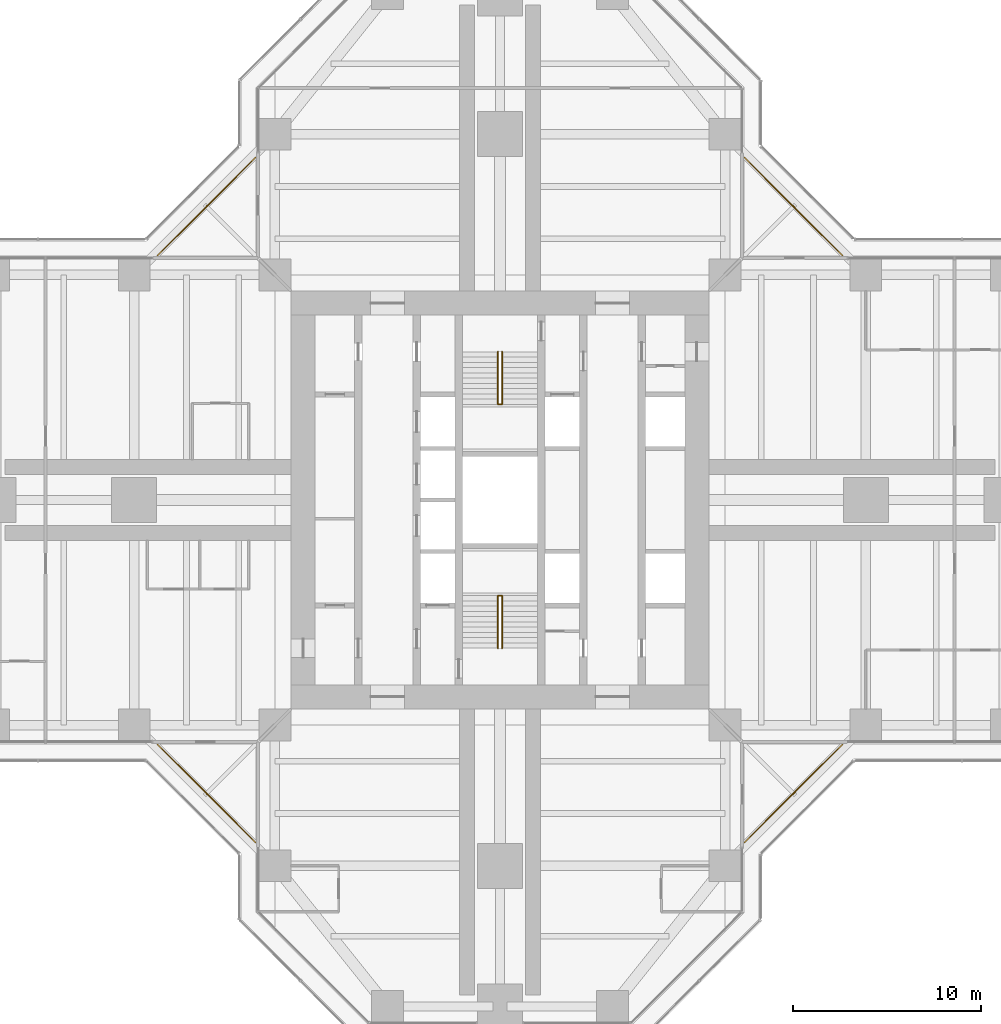
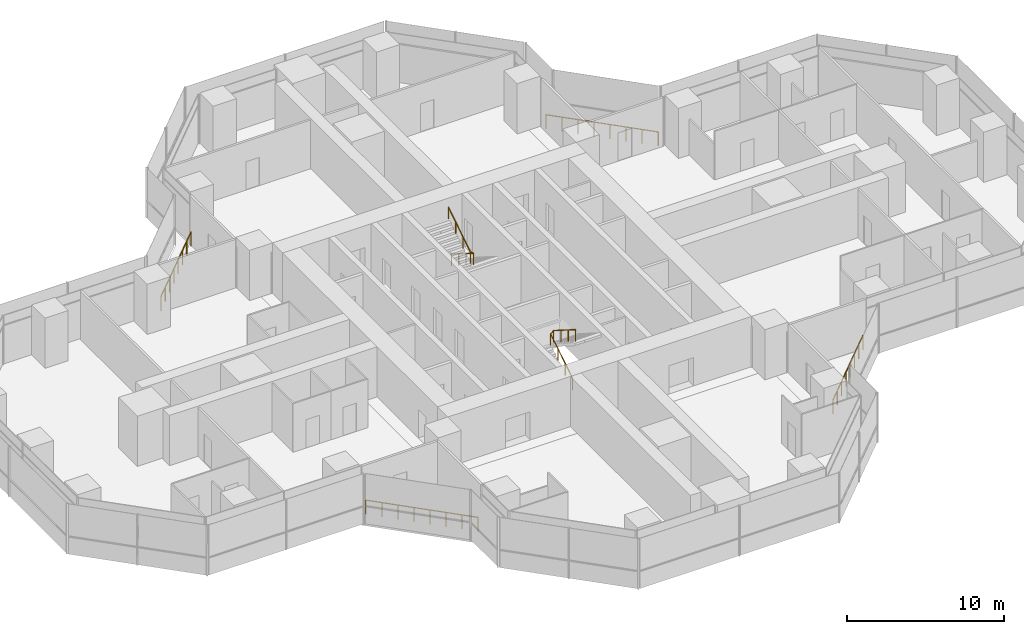
# One storey, part 20 of 20: 6 railings.
"""IFC4 building model written with IfcOpenShell, lengths in metres."""

from ifc_helpers import new_model, si_unit, direction, frame, origin, origin_2d, place, context, subcontext, project, spatial, circle, extrude, material, type_object, element, save


model = new_model("IFC4")

# Units and contexts
model_context = context("Model", 3, precision=1e-05, world=origin(), true_north=direction((0.0, 1.0)))
body_context = subcontext(model_context, "Body", "Model", "MODEL_VIEW")
ifc_project = project(units=[si_unit("LENGTHUNIT", "METRE"), si_unit("AREAUNIT", "SQUARE_METRE"), si_unit("VOLUMEUNIT", "CUBIC_METRE"), si_unit("PLANEANGLEUNIT", "RADIAN"), si_unit("MASSUNIT", "GRAM", prefix="KILO")], contexts=[model_context])

# Site, building, storey
site_placement = place(None, origin())
site = spatial("IfcSite", under=ifc_project, at=site_placement, CompositionType="ELEMENT")
building_placement = place(site_placement, origin())
building = spatial("IfcBuilding", under=site, at=building_placement, Name="Mizan Broadcast Tower", CompositionType="ELEMENT")
storey_placement = place(building_placement, frame((0.0, 0.0, 139.800048828125)))
storey = spatial("IfcBuildingStorey", under=building, at=storey_placement, Name="L31", CompositionType="ELEMENT", Elevation=139.800048828125)

# Railings
ifc_material_1 = material(Name="Stainless steel and glass guard", Category="steel")
railing_type_1 = type_object("IfcRailingType", Name="GUARD 1100", PredefinedType="GUARDRAIL", material=ifc_material_1)
railing_1_placement = place(storey_placement, frame((18.2578125, 13.030029296875, 0.0)))
element("IfcRailing", 1, at=railing_1_placement, inside=storey, type_object=railing_type_1, Name="Winter garden guard L31 E", PredefinedType="GUARDRAIL", context=body_context, shape_type="SweptSolid", body=[
    extrude(circle(Radius=0.02392578125, at=origin_2d()), frame((0.0, 0.0, 1.076171875), z_axis=(-0.707106781187, 0.707106781187, 0.0), x_axis=(-0.707106781187, -0.707106781187, 0.0)), (0.0, 0.0, 1.0), 7.393310546875),
    extrude(circle(Radius=0.02099609375, at=origin_2d()), origin(), (0.0, 0.0, 1.0), 1.052001953125),
    extrude(circle(Radius=0.02099609375, at=origin_2d()), frame((-0.746826171875, 0.746826171875, 0.0)), (0.0, 0.0, 1.0), 1.052001953125),
    extrude(circle(Radius=0.02099609375, at=origin_2d()), frame((-1.49365234375, 1.49365234375, 0.0)), (0.0, 0.0, 1.0), 1.052001953125),
    extrude(circle(Radius=0.02099609375, at=origin_2d()), frame((-2.240478515625, 2.240478515625, 0.0)), (0.0, 0.0, 1.0), 1.052001953125),
    extrude(circle(Radius=0.02099609375, at=origin_2d()), frame((-2.9873046875, 2.9873046875, 0.0)), (0.0, 0.0, 1.0), 1.052001953125),
    extrude(circle(Radius=0.02099609375, at=origin_2d()), frame((-3.734130859375, 3.734130859375, 0.0)), (0.0, 0.0, 1.0), 1.052001953125),
    extrude(circle(Radius=0.02099609375, at=origin_2d()), frame((-4.48095703125, 4.48095703125, 0.0)), (0.0, 0.0, 1.0), 1.052001953125),
    extrude(circle(Radius=0.02099609375, at=origin_2d()), frame((-5.227783203125, 5.227783203125, 0.0)), (0.0, 0.0, 1.0), 1.052001953125),
])
railing_2_placement = place(storey_placement, frame((-13.030029296875, 18.2578125, 0.0)))
element("IfcRailing", 2, at=railing_2_placement, inside=storey, type_object=railing_type_1, Name="Winter garden guard L31 N", PredefinedType="GUARDRAIL", context=body_context, shape_type="SweptSolid", body=[
    extrude(circle(Radius=0.02392578125, at=origin_2d()), frame((0.0, 0.0, 1.076171875), z_axis=(-0.707106781187, -0.707106781187, 0.0), x_axis=(0.707106781187, -0.707106781187, 0.0)), (0.0, 0.0, 1.0), 7.393310546875),
    extrude(circle(Radius=0.02099609375, at=origin_2d()), origin(), (0.0, 0.0, 1.0), 1.052001953125),
    extrude(circle(Radius=0.02099609375, at=origin_2d()), frame((-0.746826171875, -0.746826171875, 0.0)), (0.0, 0.0, 1.0), 1.052001953125),
    extrude(circle(Radius=0.02099609375, at=origin_2d()), frame((-1.49365234375, -1.49365234375, 0.0)), (0.0, 0.0, 1.0), 1.052001953125),
    extrude(circle(Radius=0.02099609375, at=origin_2d()), frame((-2.240478515625, -2.240478515625, 0.0)), (0.0, 0.0, 1.0), 1.052001953125),
    extrude(circle(Radius=0.02099609375, at=origin_2d()), frame((-2.9873046875, -2.9873046875, 0.0)), (0.0, 0.0, 1.0), 1.052001953125),
    extrude(circle(Radius=0.02099609375, at=origin_2d()), frame((-3.734130859375, -3.734130859375, 0.0)), (0.0, 0.0, 1.0), 1.052001953125),
    extrude(circle(Radius=0.02099609375, at=origin_2d()), frame((-4.48095703125, -4.48095703125, 0.0)), (0.0, 0.0, 1.0), 1.052001953125),
    extrude(circle(Radius=0.02099609375, at=origin_2d()), frame((-5.227783203125, -5.227783203125, 0.0)), (0.0, 0.0, 1.0), 1.052001953125),
])
railing_3_placement = place(storey_placement, frame((-18.2578125, -13.030029296875, 0.0)))
element("IfcRailing", 3, at=railing_3_placement, inside=storey, type_object=railing_type_1, Name="Winter garden guard L31 W", PredefinedType="GUARDRAIL", context=body_context, shape_type="SweptSolid", body=[
    extrude(circle(Radius=0.02392578125, at=origin_2d()), frame((0.0, 0.0, 1.076171875), z_axis=(0.707106781187, -0.707106781187, 0.0), x_axis=(0.707106781187, 0.707106781187, 0.0)), (0.0, 0.0, 1.0), 7.393310546875),
    extrude(circle(Radius=0.02099609375, at=origin_2d()), origin(), (0.0, 0.0, 1.0), 1.052001953125),
    extrude(circle(Radius=0.02099609375, at=origin_2d()), frame((0.746826171875, -0.746826171875, 0.0)), (0.0, 0.0, 1.0), 1.052001953125),
    extrude(circle(Radius=0.02099609375, at=origin_2d()), frame((1.49365234375, -1.49365234375, 0.0)), (0.0, 0.0, 1.0), 1.052001953125),
    extrude(circle(Radius=0.02099609375, at=origin_2d()), frame((2.240478515625, -2.240478515625, 0.0)), (0.0, 0.0, 1.0), 1.052001953125),
    extrude(circle(Radius=0.02099609375, at=origin_2d()), frame((2.9873046875, -2.9873046875, 0.0)), (0.0, 0.0, 1.0), 1.052001953125),
    extrude(circle(Radius=0.02099609375, at=origin_2d()), frame((3.734130859375, -3.734130859375, 0.0)), (0.0, 0.0, 1.0), 1.052001953125),
    extrude(circle(Radius=0.02099609375, at=origin_2d()), frame((4.48095703125, -4.48095703125, 0.0)), (0.0, 0.0, 1.0), 1.052001953125),
    extrude(circle(Radius=0.02099609375, at=origin_2d()), frame((5.227783203125, -5.227783203125, 0.0)), (0.0, 0.0, 1.0), 1.052001953125),
])
railing_4_placement = place(storey_placement, frame((13.030029296875, -18.2578125, 0.0)))
element("IfcRailing", 4, at=railing_4_placement, inside=storey, type_object=railing_type_1, Name="Winter garden guard L31 S", PredefinedType="GUARDRAIL", context=body_context, shape_type="SweptSolid", body=[
    extrude(circle(Radius=0.02392578125, at=origin_2d()), frame((0.0, 0.0, 1.076171875), z_axis=(0.707106781187, 0.707106781187, 0.0), x_axis=(-0.707106781187, 0.707106781187, 0.0)), (0.0, 0.0, 1.0), 7.393310546875),
    extrude(circle(Radius=0.02099609375, at=origin_2d()), origin(), (0.0, 0.0, 1.0), 1.052001953125),
    extrude(circle(Radius=0.02099609375, at=origin_2d()), frame((0.746826171875, 0.746826171875, 0.0)), (0.0, 0.0, 1.0), 1.052001953125),
    extrude(circle(Radius=0.02099609375, at=origin_2d()), frame((1.49365234375, 1.49365234375, 0.0)), (0.0, 0.0, 1.0), 1.052001953125),
    extrude(circle(Radius=0.02099609375, at=origin_2d()), frame((2.240478515625, 2.240478515625, 0.0)), (0.0, 0.0, 1.0), 1.052001953125),
    extrude(circle(Radius=0.02099609375, at=origin_2d()), frame((2.9873046875, 2.9873046875, 0.0)), (0.0, 0.0, 1.0), 1.052001953125),
    extrude(circle(Radius=0.02099609375, at=origin_2d()), frame((3.734130859375, 3.734130859375, 0.0)), (0.0, 0.0, 1.0), 1.052001953125),
    extrude(circle(Radius=0.02099609375, at=origin_2d()), frame((4.48095703125, 4.48095703125, 0.0)), (0.0, 0.0, 1.0), 1.052001953125),
    extrude(circle(Radius=0.02099609375, at=origin_2d()), frame((5.227783203125, 5.227783203125, 0.0)), (0.0, 0.0, 1.0), 1.052001953125),
])
ifc_material_2 = material(Name="Stainless steel", Category="steel")
railing_type_2 = type_object("IfcRailingType", Name="HANDRAIL 50", PredefinedType="HANDRAIL", material=ifc_material_2)
railing_5_placement = place(storey_placement, frame((-0.110107421875, -7.89990234375, 0.17724609375)))
element("IfcRailing", 5, at=railing_5_placement, inside=storey, type_object=railing_type_2, Name="Stair A handrail", PredefinedType="HANDRAIL", context=body_context, shape_type="SweptSolid", body=[
    extrude(circle(Radius=0.02392578125, at=origin_2d()), frame((0.0, 0.0, 0.8759765625), z_axis=(0.0, 0.844887892834, 0.53494340686), x_axis=(-1.0, 0.0, 0.0)), (0.0, 0.0, 1.0), 3.313720703125),
    extrude(circle(Radius=0.02392578125, at=origin_2d()), frame((0.0, 2.7998046875, 2.6484375), z_axis=(0.779011685263, 0.0, 0.627009405212), x_axis=(0.0, 1.0, 0.0)), (0.0, 0.0, 1.0), 0.28271484375),
    extrude(circle(Radius=0.02392578125, at=origin_2d()), frame((0.22021484375, 2.7998046875, 2.82568359375), z_axis=(0.0, -0.844887892834, 0.53494340686), x_axis=(1.0, 0.0, 0.0)), (0.0, 0.0, 1.0), 3.313720703125),
    extrude(circle(Radius=0.02099609375, at=origin_2d()), origin(), (0.0, 0.0, 1.0), 0.851806640625),
    extrude(circle(Radius=0.02099609375, at=origin_2d()), frame((0.0, 0.933349609375, 0.5908203125)), (0.0, 0.0, 1.0), 0.851806640625),
    extrude(circle(Radius=0.02099609375, at=origin_2d()), frame((0.0, 1.866455078125, 1.181884765625)), (0.0, 0.0, 1.0), 0.851806640625),
    extrude(circle(Radius=0.02099609375, at=origin_2d()), frame((0.0, 2.7998046875, 1.772705078125)), (0.0, 0.0, 1.0), 0.851806640625),
    extrude(circle(Radius=0.02099609375, at=origin_2d()), frame((0.22021484375, 2.7998046875, 1.949951171875)), (0.0, 0.0, 1.0), 0.851806640625),
    extrude(circle(Radius=0.02099609375, at=origin_2d()), frame((0.22021484375, 1.866455078125, 2.540771484375)), (0.0, 0.0, 1.0), 0.851806640625),
    extrude(circle(Radius=0.02099609375, at=origin_2d()), frame((0.22021484375, 0.933349609375, 3.1318359375)), (0.0, 0.0, 1.0), 0.851806640625),
    extrude(circle(Radius=0.02099609375, at=origin_2d()), frame((0.22021484375, 0.0, 3.72265625)), (0.0, 0.0, 1.0), 0.851806640625),
])
railing_6_placement = place(storey_placement, frame((0.110107421875, 7.89990234375, 0.17724609375)))
element("IfcRailing", 6, at=railing_6_placement, inside=storey, type_object=railing_type_2, Name="Stair B handrail", PredefinedType="HANDRAIL", context=body_context, shape_type="SweptSolid", body=[
    extrude(circle(Radius=0.02392578125, at=origin_2d()), frame((0.0, 0.0, 0.8759765625), z_axis=(0.0, -0.844887892834, 0.53494340686), x_axis=(1.0, 0.0, 0.0)), (0.0, 0.0, 1.0), 3.313720703125),
    extrude(circle(Radius=0.02392578125, at=origin_2d()), frame((0.0, -2.7998046875, 2.6484375), z_axis=(-0.779011685263, 0.0, 0.627009405212), x_axis=(0.0, -1.0, 0.0)), (0.0, 0.0, 1.0), 0.28271484375),
    extrude(circle(Radius=0.02392578125, at=origin_2d()), frame((-0.22021484375, -2.7998046875, 2.82568359375), z_axis=(0.0, 0.844887892834, 0.53494340686), x_axis=(-1.0, 0.0, 0.0)), (0.0, 0.0, 1.0), 3.313720703125),
    extrude(circle(Radius=0.02099609375, at=origin_2d()), origin(), (0.0, 0.0, 1.0), 0.851806640625),
    extrude(circle(Radius=0.02099609375, at=origin_2d()), frame((0.0, -0.933349609375, 0.5908203125)), (0.0, 0.0, 1.0), 0.851806640625),
    extrude(circle(Radius=0.02099609375, at=origin_2d()), frame((0.0, -1.866455078125, 1.181884765625)), (0.0, 0.0, 1.0), 0.851806640625),
    extrude(circle(Radius=0.02099609375, at=origin_2d()), frame((0.0, -2.7998046875, 1.772705078125)), (0.0, 0.0, 1.0), 0.851806640625),
    extrude(circle(Radius=0.02099609375, at=origin_2d()), frame((-0.22021484375, -2.7998046875, 1.949951171875)), (0.0, 0.0, 1.0), 0.851806640625),
    extrude(circle(Radius=0.02099609375, at=origin_2d()), frame((-0.22021484375, -1.866455078125, 2.540771484375)), (0.0, 0.0, 1.0), 0.851806640625),
    extrude(circle(Radius=0.02099609375, at=origin_2d()), frame((-0.22021484375, -0.933349609375, 3.1318359375)), (0.0, 0.0, 1.0), 0.851806640625),
    extrude(circle(Radius=0.02099609375, at=origin_2d()), frame((-0.22021484375, 0.0, 3.72265625)), (0.0, 0.0, 1.0), 0.851806640625),
])

save(model, "model.ifc")
